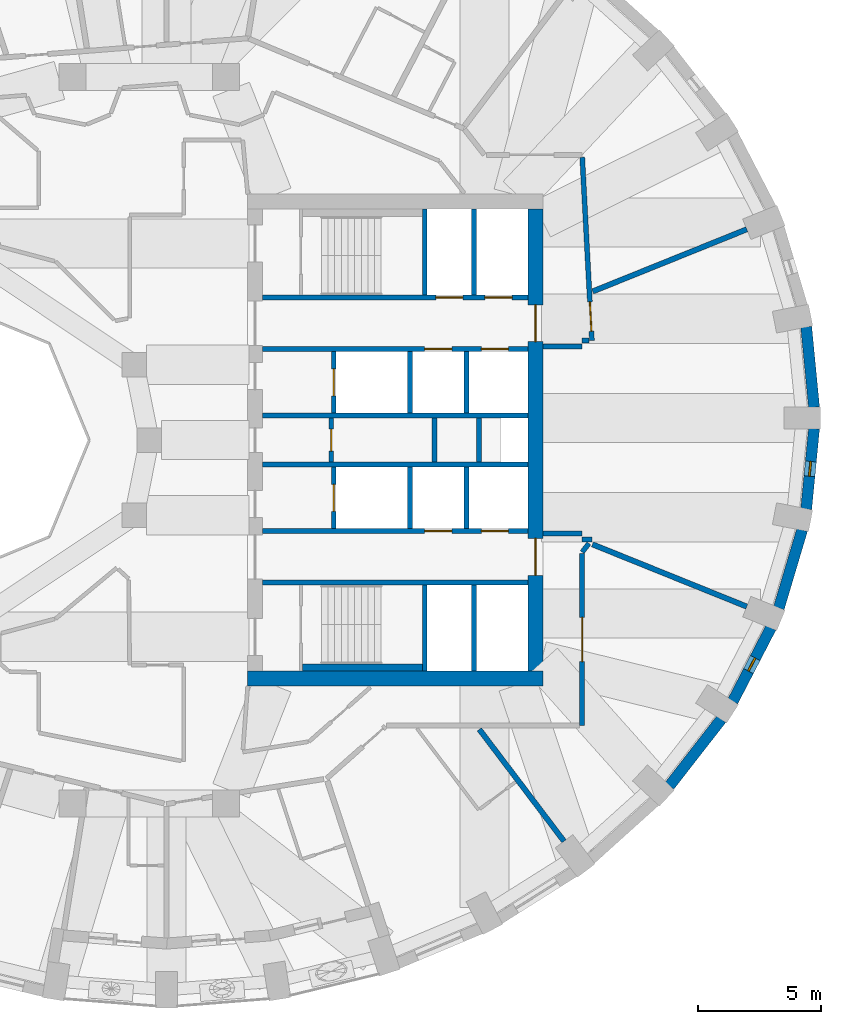
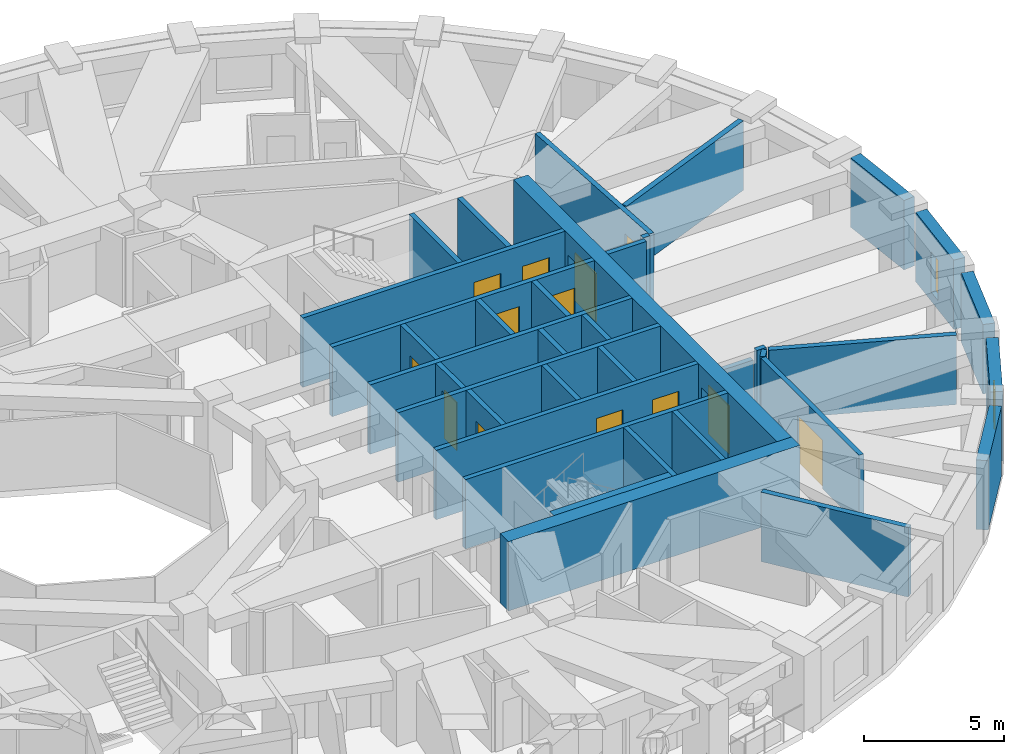
# One storey, part 6 of 12: 37 walls, 13 doors, 2 windows, 15 openings.
"""IFC4 building model written with IfcOpenShell, lengths in metres."""

from ifc_helpers import new_model, si_unit, direction, frame, frame_2d, origin, place, context, subcontext, project, spatial, rectangle, extrude, material, layer, layer_set, type_object, element, fill, save


model = new_model("IFC4")

# Units and contexts
model_context = context("Model", 3, precision=1e-05, world=origin(), true_north=direction((0.0, 1.0)))
body_context = subcontext(model_context, "Body", "Model", "MODEL_VIEW")
ifc_project = project(units=[si_unit("LENGTHUNIT", "METRE"), si_unit("AREAUNIT", "SQUARE_METRE"), si_unit("VOLUMEUNIT", "CUBIC_METRE"), si_unit("PLANEANGLEUNIT", "RADIAN"), si_unit("MASSUNIT", "GRAM", prefix="KILO")], contexts=[model_context])

# Site, building, storey
site_placement = place(None, origin())
site = spatial("IfcSite", under=ifc_project, at=site_placement, CompositionType="ELEMENT")
building_placement = place(site_placement, origin())
building = spatial("IfcBuilding", under=site, at=building_placement, Name="Taillehof Tower", CompositionType="ELEMENT")
storey_placement = place(building_placement, frame((0.0, 0.0, 202.39990234375)))
storey = spatial("IfcBuildingStorey", under=building, at=storey_placement, Name="L57", CompositionType="ELEMENT", Elevation=202.39990234375)

# Walls
ifc_material_1 = material(Name="Brick masonry", Category="masonry")
ifc_layer_1 = layer(ifc_material_1, 0.449951171875)
ifc_layer_set_1 = layer_set([ifc_layer_1], Name="Brick infill wall 450")
wall_type_1 = type_object("IfcWallType", Name="Brick infill wall 450", PredefinedType="SOLIDWALL", material=ifc_layer_set_1)
wall_1_placement = place(storey_placement, frame((27.0322265625, 1.330078125, 0.0), z_axis=(0.0, 0.0, 1.0), x_axis=(-0.096824116835, 0.995301507283, 0.0)))
element("IfcWall", 1, at=wall_1_placement, inside=storey, type_object=wall_type_1, Name="Brick wall L57 bay 1", PredefinedType="SOLIDWALL", context=body_context, shape_type="SweptSolid", body=[
    extrude(rectangle(XDim=3.29296875, YDim=0.449951171875, at=frame_2d((1.646484375, 0.0))), origin(), (0.0, 0.0, 1.0), 3.02001953125),
])
wall_2_placement = place(storey_placement, frame((21.1513671875, -14.06103515625, 0.0), z_axis=(0.0, 0.0, 1.0), x_axis=(0.614255239631, 0.789107407509, 0.0)))
element("IfcWall", 2, at=wall_2_placement, inside=storey, type_object=wall_type_1, Name="Brick wall L57 bay 33", PredefinedType="SOLIDWALL", context=body_context, shape_type="SweptSolid", body=[
    extrude(rectangle(XDim=3.4375, YDim=0.449951171875, at=frame_2d((1.71875, 0.0))), origin(), (0.0, 0.0, 1.0), 3.02001953125),
])

# Wall, opening, window
wall_3_placement = place(storey_placement, frame((23.72705078125, -10.6240234375, 0.0), z_axis=(0.0, 0.0, 1.0), x_axis=(0.460175500475, 0.887827972505, 0.0)))
wall_3 = element("IfcWall", 3, at=wall_3_placement, inside=storey, type_object=wall_type_1, Name="Brick wall L57 bay 34", PredefinedType="SOLIDWALL", context=body_context, shape_type="SweptSolid", body=[
    extrude(rectangle(XDim=3.37060546875, YDim=0.449951171875, at=frame_2d((1.685302734375, 0.0))), origin(), (0.0, 0.0, 1.0), 3.02001953125),
])
opening_1_placement = place(wall_3_placement, frame((1.38525390625, 0.0, 0.39990234375)))
opening_1 = element("IfcOpeningElement", 4, at=opening_1_placement, cuts=wall_3, Name="Opening W6", PredefinedType="OPENING", context=body_context, shape_type="SweptSolid", body=[
    extrude(rectangle(XDim=0.60009765625, YDim=1.75, at=frame_2d((0.300048828125, 0.875))), frame((0.0, 0.23486328125, 0.0), z_axis=(0.0, -1.0, 0.0), x_axis=(1.0, 0.0, 0.0)), (0.0, 0.0, 1.0), 0.469970703125),
])
ifc_material_2 = material(Name="Aluminium window frame with clear double glazing", Category="aluminium")
window_type = type_object("IfcWindowType", Name="Slot window 600x1750", PartitioningType="SINGLE_PANEL", PredefinedType="WINDOW", material=ifc_material_2)
window_1_placement = place(opening_1_placement, origin())
window_1 = element("IfcWindow", 5, at=window_1_placement, inside=storey, type_object=window_type, Name="W6", OverallHeight=1.75, OverallWidth=0.60009765625, PartitioningType="SINGLE_PANEL", PredefinedType="WINDOW", context=body_context, shape_type="SweptSolid", body=[
    extrude(rectangle(XDim=0.60009765625, YDim=1.75, at=frame_2d((0.300048828125, 0.875))), frame((0.0, 0.034912109375, 0.0), z_axis=(0.0, -1.0, 0.0), x_axis=(1.0, 0.0, 0.0)), (0.0, 0.0, 1.0), 0.06005859375),
])
fill(opening_1, window_1)

# Wall
wall_4_placement = place(storey_placement, frame((25.600341796875, -6.833984375, 0.0), z_axis=(0.0, 0.0, 1.0), x_axis=(0.285444972963, 0.958395099847, 0.0)))
element("IfcWall", 6, at=wall_4_placement, inside=storey, type_object=wall_type_1, Name="Brick wall L57 bay 35", PredefinedType="SOLIDWALL", context=body_context, shape_type="SweptSolid", body=[
    extrude(rectangle(XDim=3.3203125, YDim=0.449951171875, at=frame_2d((1.66015625, 0.0))), origin(), (0.0, 0.0, 1.0), 3.02001953125),
])

# Wall, opening, window
wall_5_placement = place(storey_placement, frame((26.71337890625, -2.807861328125, 0.0), z_axis=(0.0, 0.0, 1.0), x_axis=(0.096816972749, 0.995302202242, 0.0)))
wall_5 = element("IfcWall", 7, at=wall_5_placement, inside=storey, type_object=wall_type_1, Name="Brick wall L57 bay 36", PredefinedType="SOLIDWALL", context=body_context, shape_type="SweptSolid", body=[
    extrude(rectangle(XDim=3.293212890625, YDim=0.449951171875, at=frame_2d((1.646484375, 0.0))), origin(), (0.0, 0.0, 1.0), 3.02001953125),
])
opening_2_placement = place(wall_5_placement, frame((1.3466796875, 0.0, 0.39990234375)))
opening_2 = element("IfcOpeningElement", 8, at=opening_2_placement, cuts=wall_5, Name="Opening W6", PredefinedType="OPENING", context=body_context, shape_type="SweptSolid", body=[
    extrude(rectangle(XDim=0.60009765625, YDim=1.75, at=frame_2d((0.300048828125, 0.875))), frame((0.0, 0.23486328125, 0.0), z_axis=(0.0, -1.0, 0.0), x_axis=(1.0, 0.0, 0.0)), (0.0, 0.0, 1.0), 0.469970703125),
])
window_2_placement = place(opening_2_placement, origin())
window_2 = element("IfcWindow", 9, at=window_2_placement, inside=storey, type_object=window_type, Name="W6", OverallHeight=1.75, OverallWidth=0.60009765625, PartitioningType="SINGLE_PANEL", PredefinedType="WINDOW", context=body_context, shape_type="SweptSolid", body=[
    extrude(rectangle(XDim=0.60009765625, YDim=1.75, at=frame_2d((0.300048828125, 0.875))), frame((0.0, 0.034912109375, 0.0), z_axis=(0.0, -1.0, 0.0), x_axis=(1.0, 0.0, 0.0)), (0.0, 0.0, 1.0), 0.06005859375),
])
fill(opening_2, window_2)

# Wall, opening, door
ifc_material_3 = material(Name="Calcium silicate masonry", Category="masonry")
ifc_layer_2 = layer(ifc_material_3, 0.199951171875)
ifc_layer_set_2 = layer_set([ifc_layer_2], Name="Compartment wall calcium silicate 200")
wall_type_2 = type_object("IfcWallType", Name="Compartment wall calcium silicate 200", PredefinedType="PARTITIONING", material=ifc_layer_set_2)
wall_6_placement = place(storey_placement, frame((7.39990234375, -0.89990234375, 0.0), z_axis=(0.0, 0.0, 1.0), x_axis=(0.0, 1.0, 0.0)))
wall_6 = element("IfcWall", 10, at=wall_6_placement, inside=storey, type_object=wall_type_2, Name="Compartment wall FW", PredefinedType="PARTITIONING", context=body_context, shape_type="SweptSolid", body=[
    extrude(rectangle(XDim=1.7998046875, YDim=0.199951171875, at=frame_2d((0.89990234375, 0.0))), origin(), (0.0, 0.0, 1.0), 3.02001953125),
])
opening_3_placement = place(wall_6_placement, frame((0.449951171875, 0.0, 0.0)))
opening_3 = element("IfcOpeningElement", 11, at=opening_3_placement, cuts=wall_6, Name="Opening D5714", PredefinedType="OPENING", context=body_context, shape_type="SweptSolid", body=[
    extrude(rectangle(XDim=0.89990234375, YDim=2.10009765625, at=frame_2d((0.449951171875, 1.050048828125))), frame((0.0, 0.10986328125, 0.0), z_axis=(0.0, -1.0, 0.0), x_axis=(1.0, 0.0, 0.0)), (0.0, 0.0, 1.0), 0.219970703125),
])
ifc_material_4 = material(Name="Steel-faced fire door", Category="steel")
door_type_1 = type_object("IfcDoorType", Name="Riser and service room door 900x2100", OperationType="SINGLE_SWING_LEFT", PredefinedType="DOOR", material=ifc_material_4)
door_1_placement = place(opening_3_placement, origin())
door_1 = element("IfcDoor", 12, at=door_1_placement, inside=storey, type_object=door_type_1, Name="Door Beverage Store", OperationType="SINGLE_SWING_RIGHT", OverallHeight=2.10009765625, OverallWidth=0.89990234375, PredefinedType="DOOR", context=body_context, shape_type="SweptSolid", body=[
    extrude(rectangle(XDim=0.89990234375, YDim=2.10009765625, at=frame_2d((0.449951171875, 1.050048828125))), frame((0.0, 0.02490234375, 0.0), z_axis=(0.0, -1.0, 0.0), x_axis=(1.0, 0.0, 0.0)), (0.0, 0.0, 1.0), 0.050048828125),
])
fill(opening_3, door_1)

# Walls
for number, where, z_axis, x_axis, name in (
    (13, (11.60009765625, -0.89990234375, 0.0), (0.0, 0.0, 1.0), (0.0, 1.0, 0.0), "Compartment wall FW"),
    (14, (13.39990234375, -0.89990234375, 0.0), (0.0, 0.0, 1.0), (0.0, 1.0, 0.0), "Compartment wall FW"),
):
    element("IfcWall", number, at=place(storey_placement, frame(where, z_axis=z_axis, x_axis=x_axis)), inside=storey, type_object=wall_type_2, Name=name, PredefinedType="PARTITIONING", context=body_context, shape_type="SweptSolid", body=[
        extrude(rectangle(XDim=1.7998046875, YDim=0.199951171875, at=frame_2d((0.89990234375, 0.0))), origin(), (0.0, 0.0, 1.0), 3.02001953125),
    ])
ifc_material_5 = material(Name="Gypsum board on steel studs, two layers each side", Category="steel")
ifc_layer_3 = layer(ifc_material_5, 0.199951171875)
ifc_layer_set_3 = layer_set([ifc_layer_3], Name="Compartment wall corridor 200")
wall_type_3 = type_object("IfcWallType", Name="Compartment wall corridor 200", PredefinedType="PARTITIONING", material=ifc_layer_set_3)
wall_7_placement = place(storey_placement, frame((17.60009765625, -4.042724609375, 0.0), z_axis=(0.0, 0.0, 1.0), x_axis=(1.0, 0.0, 0.0)))
element("IfcWall", 15, at=wall_7_placement, inside=storey, type_object=wall_type_3, Name="Compartment wall", PredefinedType="PARTITIONING", context=body_context, shape_type="SweptSolid", body=[
    extrude(rectangle(XDim=0.3984375, YDim=0.199951171875, at=frame_2d((0.19921875, 0.0))), origin(), (0.0, 0.0, 1.0), 3.02001953125),
])
wall_8_placement = place(storey_placement, frame((17.87646484375, -4.201416015625, 0.0), z_axis=(0.0, 0.0, 1.0), x_axis=(-0.61405326993, -0.789264582816, 0.0)))
element("IfcWall", 16, at=wall_8_placement, inside=storey, type_object=wall_type_3, Name="Compartment wall", PredefinedType="PARTITIONING", context=body_context, shape_type="SweptSolid", body=[
    extrude(rectangle(XDim=0.449951171875, YDim=0.199951171875, at=frame_2d((0.22509765625, 0.0))), origin(), (0.0, 0.0, 1.0), 3.02001953125),
])

# Wall, opening, door
wall_9_placement = place(storey_placement, frame((17.60009765625, -4.61669921875, 0.0), z_axis=(0.0, 0.0, 1.0), x_axis=(0.0, -1.0, 0.0)))
wall_9 = element("IfcWall", 17, at=wall_9_placement, inside=storey, type_object=wall_type_3, Name="Compartment wall", PredefinedType="PARTITIONING", context=body_context, shape_type="SweptSolid", body=[
    extrude(rectangle(XDim=6.9833984375, YDim=0.199951171875, at=frame_2d((3.49169921875, 0.0))), origin(), (0.0, 0.0, 1.0), 3.02001953125),
])
opening_4_placement = place(wall_9_placement, frame((2.591796875, 0.0, 0.0)))
opening_4 = element("IfcOpeningElement", 18, at=opening_4_placement, cuts=wall_9, Name="Opening D5763", PredefinedType="OPENING", context=body_context, shape_type="SweptSolid", body=[
    extrude(rectangle(XDim=1.800048828125, YDim=2.10009765625, at=frame_2d((0.89990234375, 1.050048828125))), frame((0.0, 0.10986328125, 0.0), z_axis=(0.0, -1.0, 0.0), x_axis=(1.0, 0.0, 0.0)), (0.0, 0.0, 1.0), 0.219970703125),
])
ifc_material_6 = material(Name="Timber door leaf in steel frame", Category="steel")
door_type_2 = type_object("IfcDoorType", Name="Lounge and meeting room double door EI 30 1800 x 2100", OperationType="SINGLE_SWING_LEFT", PredefinedType="DOOR", material=ifc_material_6)
door_2_placement = place(opening_4_placement, origin())
door_2 = element("IfcDoor", 19, at=door_2_placement, inside=storey, type_object=door_type_2, Name="D5763", OperationType="DOUBLE_DOOR_SINGLE_SWING", OverallHeight=2.10009765625, OverallWidth=1.800048828125, PredefinedType="DOOR", context=body_context, shape_type="SweptSolid", body=[
    extrude(rectangle(XDim=1.800048828125, YDim=2.10009765625, at=frame_2d((0.89990234375, 1.050048828125))), frame((0.0, 0.02490234375, 0.0), z_axis=(0.0, -1.0, 0.0), x_axis=(1.0, 0.0, 0.0)), (0.0, 0.0, 1.0), 0.050048828125),
])
fill(opening_4, door_2)

wall_10_placement = place(storey_placement, frame((17.60498046875, 11.5, 0.0), z_axis=(0.0, 0.0, 1.0), x_axis=(0.052701255232, -0.998610323248, 0.0)))
wall_10 = element("IfcWall", 20, at=wall_10_placement, inside=storey, type_object=wall_type_3, Name="Compartment wall", PredefinedType="PARTITIONING", context=body_context, shape_type="SweptSolid", body=[
    extrude(rectangle(XDim=7.4677734375, YDim=0.199951171875, at=frame_2d((3.73388671875, 0.0))), origin(), (0.0, 0.0, 1.0), 3.02001953125),
])
opening_5_placement = place(wall_10_placement, frame((5.887451171875, 0.0, 0.0)))
opening_5 = element("IfcOpeningElement", 21, at=opening_5_placement, cuts=wall_10, Name="Opening D5764", PredefinedType="OPENING", context=body_context, shape_type="SweptSolid", body=[
    extrude(rectangle(XDim=1.199951171875, YDim=2.10009765625, at=frame_2d((0.60009765625, 1.050048828125))), frame((0.0, 0.10986328125, 0.0), z_axis=(0.0, -1.0, 0.0), x_axis=(1.0, 0.0, 0.0)), (0.0, 0.0, 1.0), 0.219970703125),
])
ifc_material_7 = material(Name="Timber door leaf in steel frame", Category="steel")
door_type_3 = type_object("IfcDoorType", Name="Suite entrance door EI 30 1200 x 2100", OperationType="SINGLE_SWING_LEFT", PredefinedType="DOOR", material=ifc_material_7)
door_3_placement = place(opening_5_placement, origin())
door_3 = element("IfcDoor", 22, at=door_3_placement, inside=storey, type_object=door_type_3, Name="D5764", OperationType="SINGLE_SWING_LEFT", OverallHeight=2.10009765625, OverallWidth=1.199951171875, PredefinedType="DOOR", context=body_context, shape_type="SweptSolid", body=[
    extrude(rectangle(XDim=1.199951171875, YDim=2.10009765625, at=frame_2d((0.60009765625, 1.050048828125))), frame((0.0, 0.02490234375, 0.0), z_axis=(0.0, -1.0, 0.0), x_axis=(1.0, 0.0, 0.0)), (0.0, 0.0, 1.0), 0.050048828125),
])
fill(opening_5, door_3)

# Walls
wall_11_placement = place(storey_placement, frame((17.87841796875, 4.042724609375, 0.0), z_axis=(0.0, 0.0, 1.0), x_axis=(-1.0, 0.0, 0.0)))
element("IfcWall", 23, at=wall_11_placement, inside=storey, type_object=wall_type_3, Name="Compartment wall", PredefinedType="PARTITIONING", context=body_context, shape_type="SweptSolid", body=[
    extrude(rectangle(XDim=0.2783203125, YDim=0.199951171875, at=frame_2d((0.13916015625, 0.0))), origin(), (0.0, 0.0, 1.0), 3.02001953125),
])
wall_12_placement = place(storey_placement, frame((17.60009765625, 3.800048828125, 0.0), z_axis=(0.0, 0.0, 1.0), x_axis=(-1.0, 0.0, 0.0)))
element("IfcWall", 24, at=wall_12_placement, inside=storey, type_object=wall_type_3, Name="Compartment wall", PredefinedType="PARTITIONING", context=body_context, shape_type="SweptSolid", body=[
    extrude(rectangle(XDim=1.59619140625, YDim=0.199951171875, at=frame_2d((0.798095703125, 0.0))), origin(), (0.0, 0.0, 1.0), 3.02001953125),
])
wall_13_placement = place(storey_placement, frame((16.00390625, -3.800048828125, 0.0), z_axis=(0.0, 0.0, 1.0), x_axis=(1.0, 0.0, 0.0)))
element("IfcWall", 25, at=wall_13_placement, inside=storey, type_object=wall_type_3, Name="Compartment wall", PredefinedType="PARTITIONING", context=body_context, shape_type="SweptSolid", body=[
    extrude(rectangle(XDim=1.59619140625, YDim=0.199951171875, at=frame_2d((0.798095703125, 0.0))), origin(), (0.0, 0.0, 1.0), 2.47021484375),
])
ifc_material_8 = material(Name="Gypsum board on double steel studs with mineral wool", Category="steel")
ifc_layer_4 = layer(ifc_material_8, 0.219970703125)
ifc_layer_set_4 = layer_set([ifc_layer_4], Name="Compartment wall guest room 220")
wall_type_4 = type_object("IfcWallType", Name="Compartment wall guest room 220", PredefinedType="PARTITIONING", material=ifc_layer_set_4)
wall_14_placement = place(storey_placement, frame((24.29541015625, 8.5712890625, 0.0), z_axis=(0.0, 0.0, 1.0), x_axis=(-0.927395972896, -0.374081153571, 0.0)))
element("IfcWall", 26, at=wall_14_placement, inside=storey, type_object=wall_type_4, Name="Compartment wall", PredefinedType="PARTITIONING", context=body_context, shape_type="SweptSolid", body=[
    extrude(rectangle(XDim=6.7548828125, YDim=0.219970703125, at=frame_2d((3.37744140625, 0.0))), origin(), (0.0, 0.0, 1.0), 3.02001953125),
])
wall_15_placement = place(storey_placement, frame((16.86328125, -16.3125, 0.0), z_axis=(0.0, 0.0, 1.0), x_axis=(-0.603636051313, 0.797260006243, 0.0)))
element("IfcWall", 27, at=wall_15_placement, inside=storey, type_object=wall_type_4, Name="Compartment wall", PredefinedType="PARTITIONING", context=body_context, shape_type="SweptSolid", body=[
    extrude(rectangle(XDim=5.70556640625, YDim=0.219970703125, at=frame_2d((2.852783203125, 0.0))), origin(), (0.0, 0.0, 1.0), 3.02001953125),
])
wall_16_placement = place(storey_placement, frame((24.29541015625, -6.771484375, 0.0), z_axis=(0.0, 0.0, 1.0), x_axis=(-0.927382720906, 0.374114005305, 0.0)))
element("IfcWall", 28, at=wall_16_placement, inside=storey, type_object=wall_type_4, Name="Compartment wall", PredefinedType="PARTITIONING", context=body_context, shape_type="SweptSolid", body=[
    extrude(rectangle(XDim=6.765869140625, YDim=0.219970703125, at=frame_2d((3.3828125, 0.0))), origin(), (0.0, 0.0, 1.0), 3.02001953125),
])
ifc_material_9 = material(Name="Calcium silicate masonry", Category="masonry")
ifc_layer_5 = layer(ifc_material_9, 0.300048828125)
ifc_layer_set_5 = layer_set([ifc_layer_5], Name="Compartment wall lining calcium silicate 300")
wall_type_5 = type_object("IfcWallType", Name="Compartment wall lining calcium silicate 300", PredefinedType="PARTITIONING", material=ifc_layer_set_5)
wall_17_placement = place(storey_placement, frame((6.219970703125, -9.25, 0.0), z_axis=(0.0, 0.0, 1.0), x_axis=(1.0, 0.0, 0.0)))
element("IfcWall", 29, at=wall_17_placement, inside=storey, type_object=wall_type_5, Name="Compartment wall FW", PredefinedType="PARTITIONING", context=body_context, shape_type="SweptSolid", body=[
    extrude(rectangle(XDim=4.880126953125, YDim=0.300048828125, at=frame_2d((2.43994140625, 0.0))), origin(), (0.0, 0.0, 1.0), 3.02001953125),
])

# Wall, openings, doors
ifc_material_10 = material(Name="Concrete C80/95", Category="concrete")
ifc_layer_6 = layer(ifc_material_10, 0.60009765625)
ifc_layer_set_6 = layer_set([ifc_layer_6], Name="Core wall C80/95 600")
wall_type_6 = type_object("IfcWallType", Name="Core wall C80/95 600", PredefinedType="SHEAR", material=ifc_layer_set_6)
wall_18_placement = place(storey_placement, frame((15.699951171875, -9.39990234375, 0.0), z_axis=(0.0, 0.0, 1.0), x_axis=(0.0, 1.0, 0.0)))
wall_18 = element("IfcWall", 30, at=wall_18_placement, inside=storey, type_object=wall_type_6, Name="Core wall CW05", PredefinedType="SHEAR", context=body_context, shape_type="SweptSolid", body=[
    extrude(rectangle(XDim=18.7998046875, YDim=0.60009765625, at=frame_2d((9.39990234375, 0.0))), origin(), (0.0, 0.0, 1.0), 3.02001953125),
])
opening_6_placement = place(wall_18_placement, frame((13.39990234375, 0.0, 0.0)))
opening_6 = element("IfcOpeningElement", 31, at=opening_6_placement, cuts=wall_18, Name="Opening D5708", PredefinedType="OPENING", context=body_context, shape_type="SweptSolid", body=[
    extrude(rectangle(XDim=1.5, YDim=2.10009765625, at=frame_2d((0.75, 1.050048828125))), frame((0.0, 0.31005859375, 0.0), z_axis=(0.0, -1.0, 0.0), x_axis=(1.0, 0.0, 0.0)), (0.0, 0.0, 1.0), 0.6201171875),
])
opening_7_placement = place(wall_18_placement, frame((3.89990234375, 0.0, 0.0)))
opening_7 = element("IfcOpeningElement", 32, at=opening_7_placement, cuts=wall_18, Name="Opening D5709", PredefinedType="OPENING", context=body_context, shape_type="SweptSolid", body=[
    extrude(rectangle(XDim=1.5, YDim=2.10009765625, at=frame_2d((0.75, 1.050048828125))), frame((0.0, 0.31005859375, 0.0), z_axis=(0.0, -1.0, 0.0), x_axis=(1.0, 0.0, 0.0)), (0.0, 0.0, 1.0), 0.6201171875),
])
ifc_material_11 = material(Name="Steel-faced fire door", Category="steel")
door_type_4 = type_object("IfcDoorType", Name="Lift lobby east door 1500x2100", OperationType="DOUBLE_DOOR_SINGLE_SWING", PredefinedType="DOOR", material=ifc_material_11)
door_4_placement = place(opening_6_placement, origin())
door_4 = element("IfcDoor", 33, at=door_4_placement, inside=storey, type_object=door_type_4, Name="Lift lobby east door north", OperationType="DOUBLE_DOOR_SINGLE_SWING", OverallHeight=2.10009765625, OverallWidth=1.5, PredefinedType="DOOR", context=body_context, shape_type="SweptSolid", body=[
    extrude(rectangle(XDim=1.5, YDim=2.10009765625, at=frame_2d((0.75, 1.050048828125))), frame((0.0, 0.02490234375, 0.0), z_axis=(0.0, -1.0, 0.0), x_axis=(1.0, 0.0, 0.0)), (0.0, 0.0, 1.0), 0.050048828125),
])
fill(opening_6, door_4)
door_5_placement = place(opening_7_placement, origin())
door_5 = element("IfcDoor", 34, at=door_5_placement, inside=storey, type_object=door_type_4, Name="Lift lobby east door south", OperationType="DOUBLE_DOOR_SINGLE_SWING", OverallHeight=2.10009765625, OverallWidth=1.5, PredefinedType="DOOR", context=body_context, shape_type="SweptSolid", body=[
    extrude(rectangle(XDim=1.5, YDim=2.10009765625, at=frame_2d((0.75, 1.050048828125))), frame((0.0, 0.02490234375, 0.0), z_axis=(0.0, -1.0, 0.0), x_axis=(1.0, 0.0, 0.0)), (0.0, 0.0, 1.0), 0.050048828125),
])
fill(opening_7, door_5)

# Wall
wall_19_placement = place(storey_placement, frame((4.0, -9.699951171875, 0.0), z_axis=(0.0, 0.0, 1.0), x_axis=(1.0, 0.0, 0.0)))
element("IfcWall", 35, at=wall_19_placement, inside=storey, type_object=wall_type_6, Name="Core wall CW07", PredefinedType="SHEAR", context=body_context, shape_type="SweptSolid", body=[
    extrude(rectangle(XDim=12.0, YDim=0.60009765625, at=frame_2d((6.0, 0.0))), origin(), (0.0, 0.0, 1.0), 3.02001953125),
])

# Wall, openings, doors
ifc_material_12 = material(Name="Concrete C50/60", Category="concrete")
ifc_layer_7 = layer(ifc_material_12, 0.199951171875)
ifc_layer_set_7 = layer_set([ifc_layer_7], Name="Shaft wall C50/60 200")
wall_type_7 = type_object("IfcWallType", Name="Shaft wall C50/60 200", PredefinedType="SHEAR", material=ifc_layer_set_7)
wall_20_placement = place(storey_placement, frame((4.60009765625, 5.800048828125, 0.0), z_axis=(0.0, 0.0, 1.0), x_axis=(1.0, 0.0, 0.0)))
wall_20 = element("IfcWall", 36, at=wall_20_placement, inside=storey, type_object=wall_type_7, Name="Shaft wall SW", PredefinedType="SHEAR", context=body_context, shape_type="SweptSolid", body=[
    extrude(rectangle(XDim=10.7998046875, YDim=0.199951171875, at=frame_2d((5.39990234375, 0.0))), origin(), (0.0, 0.0, 1.0), 3.02001953125),
])
opening_8_placement = place(wall_20_placement, frame((7.050048828125, 0.0, 0.0)))
opening_8 = element("IfcOpeningElement", 37, at=opening_8_placement, cuts=wall_20, Name="Opening LD1", PredefinedType="OPENING", context=body_context, shape_type="SweptSolid", body=[
    extrude(rectangle(XDim=1.10009765625, YDim=2.10009765625, at=frame_2d((0.550048828125, 1.050048828125))), frame((0.0, 0.10986328125, 0.0), z_axis=(0.0, -1.0, 0.0), x_axis=(1.0, 0.0, 0.0)), (0.0, 0.0, 1.0), 0.219970703125),
])
opening_9_placement = place(wall_20_placement, frame((9.050048828125, 0.0, 0.0)))
opening_9 = element("IfcOpeningElement", 38, at=opening_9_placement, cuts=wall_20, Name="Opening LD1", PredefinedType="OPENING", context=body_context, shape_type="SweptSolid", body=[
    extrude(rectangle(XDim=1.10009765625, YDim=2.10009765625, at=frame_2d((0.550048828125, 1.050048828125))), frame((0.0, 0.10986328125, 0.0), z_axis=(0.0, -1.0, 0.0), x_axis=(1.0, 0.0, 0.0)), (0.0, 0.0, 1.0), 0.219970703125),
])
ifc_material_13 = material(Name="Stainless steel", Category="steel")
door_type_5 = type_object("IfcDoorType", Name="Lift landing door LD1 1100x2100", OperationType="DOUBLE_DOOR_SLIDING", PredefinedType="DOOR", material=ifc_material_13)
door_6_placement = place(opening_8_placement, origin())
door_6 = element("IfcDoor", 39, at=door_6_placement, inside=storey, type_object=door_type_5, Name="Landing door HR1", OperationType="DOUBLE_DOOR_SLIDING", OverallHeight=2.10009765625, OverallWidth=1.10009765625, PredefinedType="DOOR", context=body_context, shape_type="SweptSolid", body=[
    extrude(rectangle(XDim=1.10009765625, YDim=2.10009765625, at=frame_2d((0.550048828125, 1.050048828125))), frame((0.0, 0.02490234375, 0.0), z_axis=(0.0, -1.0, 0.0), x_axis=(1.0, 0.0, 0.0)), (0.0, 0.0, 1.0), 0.050048828125),
])
fill(opening_8, door_6)
door_7_placement = place(opening_9_placement, origin())
door_7 = element("IfcDoor", 40, at=door_7_placement, inside=storey, type_object=door_type_5, Name="Landing door HR2", OperationType="DOUBLE_DOOR_SLIDING", OverallHeight=2.10009765625, OverallWidth=1.10009765625, PredefinedType="DOOR", context=body_context, shape_type="SweptSolid", body=[
    extrude(rectangle(XDim=1.10009765625, YDim=2.10009765625, at=frame_2d((0.550048828125, 1.050048828125))), frame((0.0, 0.02490234375, 0.0), z_axis=(0.0, -1.0, 0.0), x_axis=(1.0, 0.0, 0.0)), (0.0, 0.0, 1.0), 0.050048828125),
])
fill(opening_9, door_7)

wall_21_placement = place(storey_placement, frame((4.60009765625, 3.699951171875, 0.0), z_axis=(0.0, 0.0, 1.0), x_axis=(1.0, 0.0, 0.0)))
wall_21 = element("IfcWall", 41, at=wall_21_placement, inside=storey, type_object=wall_type_7, Name="Shaft wall SW", PredefinedType="SHEAR", context=body_context, shape_type="SweptSolid", body=[
    extrude(rectangle(XDim=10.7998046875, YDim=0.199951171875, at=frame_2d((5.39990234375, 0.0))), origin(), (0.0, 0.0, 1.0), 3.02001953125),
])
opening_10_placement = place(wall_21_placement, frame((6.60009765625, 0.0, 0.0)))
opening_10 = element("IfcOpeningElement", 42, at=opening_10_placement, cuts=wall_21, Name="Opening LD1", PredefinedType="OPENING", context=body_context, shape_type="SweptSolid", body=[
    extrude(rectangle(XDim=1.10009765625, YDim=2.10009765625, at=frame_2d((0.550048828125, 1.050048828125))), frame((0.0, 0.10986328125, 0.0), z_axis=(0.0, -1.0, 0.0), x_axis=(1.0, 0.0, 0.0)), (0.0, 0.0, 1.0), 0.219970703125),
])
opening_11_placement = place(wall_21_placement, frame((8.89990234375, 0.0, 0.0)))
opening_11 = element("IfcOpeningElement", 43, at=opening_11_placement, cuts=wall_21, Name="Opening LD1", PredefinedType="OPENING", context=body_context, shape_type="SweptSolid", body=[
    extrude(rectangle(XDim=1.10009765625, YDim=2.10009765625, at=frame_2d((0.550048828125, 1.050048828125))), frame((0.0, 0.10986328125, 0.0), z_axis=(0.0, -1.0, 0.0), x_axis=(1.0, 0.0, 0.0)), (0.0, 0.0, 1.0), 0.219970703125),
])
door_8_placement = place(opening_10_placement, origin())
door_8 = element("IfcDoor", 44, at=door_8_placement, inside=storey, type_object=door_type_5, Name="Landing door HR3", OperationType="DOUBLE_DOOR_SLIDING", OverallHeight=2.10009765625, OverallWidth=1.10009765625, PredefinedType="DOOR", context=body_context, shape_type="SweptSolid", body=[
    extrude(rectangle(XDim=1.10009765625, YDim=2.10009765625, at=frame_2d((0.550048828125, 1.050048828125))), frame((0.0, 0.02490234375, 0.0), z_axis=(0.0, -1.0, 0.0), x_axis=(1.0, 0.0, 0.0)), (0.0, 0.0, 1.0), 0.050048828125),
])
fill(opening_10, door_8)
door_9_placement = place(opening_11_placement, origin())
door_9 = element("IfcDoor", 45, at=door_9_placement, inside=storey, type_object=door_type_5, Name="Landing door HR4", OperationType="DOUBLE_DOOR_SLIDING", OverallHeight=2.10009765625, OverallWidth=1.10009765625, PredefinedType="DOOR", context=body_context, shape_type="SweptSolid", body=[
    extrude(rectangle(XDim=1.10009765625, YDim=2.10009765625, at=frame_2d((0.550048828125, 1.050048828125))), frame((0.0, 0.02490234375, 0.0), z_axis=(0.0, -1.0, 0.0), x_axis=(1.0, 0.0, 0.0)), (0.0, 0.0, 1.0), 0.050048828125),
])
fill(opening_11, door_9)

# Walls
for number, where, z_axis, x_axis, name in (
    (46, (4.60009765625, 1.0, 0.0), (0.0, 0.0, 1.0), (1.0, 0.0, 0.0), "Shaft wall SW"),
    (47, (4.60009765625, -1.0, 0.0), (0.0, 0.0, 1.0), (1.0, 0.0, 0.0), "Shaft wall SW"),
):
    element("IfcWall", number, at=place(storey_placement, frame(where, z_axis=z_axis, x_axis=x_axis)), inside=storey, type_object=wall_type_7, Name=name, PredefinedType="SHEAR", context=body_context, shape_type="SweptSolid", body=[
        extrude(rectangle(XDim=10.7998046875, YDim=0.199951171875, at=frame_2d((5.39990234375, 0.0))), origin(), (0.0, 0.0, 1.0), 3.02001953125),
    ])

# Wall, openings, doors
wall_22_placement = place(storey_placement, frame((4.60009765625, -3.699951171875, 0.0), z_axis=(0.0, 0.0, 1.0), x_axis=(1.0, 0.0, 0.0)))
wall_22 = element("IfcWall", 48, at=wall_22_placement, inside=storey, type_object=wall_type_7, Name="Shaft wall SW", PredefinedType="SHEAR", context=body_context, shape_type="SweptSolid", body=[
    extrude(rectangle(XDim=10.7998046875, YDim=0.199951171875, at=frame_2d((5.39990234375, 0.0))), origin(), (0.0, 0.0, 1.0), 3.02001953125),
])
opening_12_placement = place(wall_22_placement, frame((6.60009765625, 0.0, 0.0)))
opening_12 = element("IfcOpeningElement", 49, at=opening_12_placement, cuts=wall_22, Name="Opening LD1", PredefinedType="OPENING", context=body_context, shape_type="SweptSolid", body=[
    extrude(rectangle(XDim=1.10009765625, YDim=2.10009765625, at=frame_2d((0.550048828125, 1.050048828125))), frame((0.0, 0.10986328125, 0.0), z_axis=(0.0, -1.0, 0.0), x_axis=(1.0, 0.0, 0.0)), (0.0, 0.0, 1.0), 0.219970703125),
])
opening_13_placement = place(wall_22_placement, frame((8.89990234375, 0.0, 0.0)))
opening_13 = element("IfcOpeningElement", 50, at=opening_13_placement, cuts=wall_22, Name="Opening LD1", PredefinedType="OPENING", context=body_context, shape_type="SweptSolid", body=[
    extrude(rectangle(XDim=1.10009765625, YDim=2.10009765625, at=frame_2d((0.550048828125, 1.050048828125))), frame((0.0, 0.10986328125, 0.0), z_axis=(0.0, -1.0, 0.0), x_axis=(1.0, 0.0, 0.0)), (0.0, 0.0, 1.0), 0.219970703125),
])
door_10_placement = place(opening_12_placement, origin())
door_10 = element("IfcDoor", 51, at=door_10_placement, inside=storey, type_object=door_type_5, Name="Landing door HR5", OperationType="DOUBLE_DOOR_SLIDING", OverallHeight=2.10009765625, OverallWidth=1.10009765625, PredefinedType="DOOR", context=body_context, shape_type="SweptSolid", body=[
    extrude(rectangle(XDim=1.10009765625, YDim=2.10009765625, at=frame_2d((0.550048828125, 1.050048828125))), frame((0.0, 0.02490234375, 0.0), z_axis=(0.0, -1.0, 0.0), x_axis=(1.0, 0.0, 0.0)), (0.0, 0.0, 1.0), 0.050048828125),
])
fill(opening_12, door_10)
door_11_placement = place(opening_13_placement, origin())
door_11 = element("IfcDoor", 52, at=door_11_placement, inside=storey, type_object=door_type_5, Name="Landing door HR6", OperationType="DOUBLE_DOOR_SLIDING", OverallHeight=2.10009765625, OverallWidth=1.10009765625, PredefinedType="DOOR", context=body_context, shape_type="SweptSolid", body=[
    extrude(rectangle(XDim=1.10009765625, YDim=2.10009765625, at=frame_2d((0.550048828125, 1.050048828125))), frame((0.0, 0.02490234375, 0.0), z_axis=(0.0, -1.0, 0.0), x_axis=(1.0, 0.0, 0.0)), (0.0, 0.0, 1.0), 0.050048828125),
])
fill(opening_13, door_11)

# Walls
wall_23_placement = place(storey_placement, frame((4.60009765625, -5.800048828125, 0.0), z_axis=(0.0, 0.0, 1.0), x_axis=(1.0, 0.0, 0.0)))
element("IfcWall", 53, at=wall_23_placement, inside=storey, type_object=wall_type_7, Name="Shaft wall SW", PredefinedType="SHEAR", context=body_context, shape_type="SweptSolid", body=[
    extrude(rectangle(XDim=10.7998046875, YDim=0.199951171875, at=frame_2d((5.39990234375, 0.0))), origin(), (0.0, 0.0, 1.0), 3.02001953125),
])
for number, where, z_axis, x_axis, name in (
    (54, (11.199951171875, 5.89990234375, 0.0), (0.0, 0.0, 1.0), (0.0, 1.0, 0.0), "Shaft wall SW"),
    (55, (11.199951171875, -9.39990234375, 0.0), (0.0, 0.0, 1.0), (0.0, 1.0, 0.0), "Shaft wall SW"),
    (56, (13.199951171875, 5.89990234375, 0.0), (0.0, 0.0, 1.0), (0.0, 1.0, 0.0), "Shaft wall SW"),
    (57, (13.199951171875, -9.39990234375, 0.0), (0.0, 0.0, 1.0), (0.0, 1.0, 0.0), "Shaft wall SW"),
):
    element("IfcWall", number, at=place(storey_placement, frame(where, z_axis=z_axis, x_axis=x_axis)), inside=storey, type_object=wall_type_7, Name=name, PredefinedType="SHEAR", context=body_context, shape_type="SweptSolid", body=[
        extrude(rectangle(XDim=3.5, YDim=0.199951171875, at=frame_2d((1.75, 0.0))), origin(), (0.0, 0.0, 1.0), 3.02001953125),
    ])

# Wall, opening, door
wall_24_placement = place(storey_placement, frame((7.5, 1.10009765625, 0.0), z_axis=(0.0, 0.0, 1.0), x_axis=(0.0, 1.0, 0.0)))
wall_24 = element("IfcWall", 58, at=wall_24_placement, inside=storey, type_object=wall_type_7, Name="Shaft wall SW", PredefinedType="SHEAR", context=body_context, shape_type="SweptSolid", body=[
    extrude(rectangle(XDim=2.5, YDim=0.199951171875, at=frame_2d((1.25, 0.0))), origin(), (0.0, 0.0, 1.0), 3.02001953125),
])
opening_14_placement = place(wall_24_placement, frame((0.699951171875, 0.0, 0.0)))
opening_14 = element("IfcOpeningElement", 59, at=opening_14_placement, cuts=wall_24, Name="Opening LD1", PredefinedType="OPENING", context=body_context, shape_type="SweptSolid", body=[
    extrude(rectangle(XDim=1.10009765625, YDim=2.10009765625, at=frame_2d((0.550048828125, 1.050048828125))), frame((0.0, 0.10986328125, 0.0), z_axis=(0.0, -1.0, 0.0), x_axis=(1.0, 0.0, 0.0)), (0.0, 0.0, 1.0), 0.219970703125),
])
door_12_placement = place(opening_14_placement, origin())
door_12 = element("IfcDoor", 60, at=door_12_placement, inside=storey, type_object=door_type_5, Name="Landing door FF1", OperationType="DOUBLE_DOOR_SLIDING", OverallHeight=2.10009765625, OverallWidth=1.10009765625, PredefinedType="DOOR", context=body_context, shape_type="SweptSolid", body=[
    extrude(rectangle(XDim=1.10009765625, YDim=2.10009765625, at=frame_2d((0.550048828125, 1.050048828125))), frame((0.0, 0.02490234375, 0.0), z_axis=(0.0, -1.0, 0.0), x_axis=(1.0, 0.0, 0.0)), (0.0, 0.0, 1.0), 0.050048828125),
])
fill(opening_14, door_12)

wall_25_placement = place(storey_placement, frame((7.5, -3.60009765625, 0.0), z_axis=(0.0, 0.0, 1.0), x_axis=(0.0, 1.0, 0.0)))
wall_25 = element("IfcWall", 61, at=wall_25_placement, inside=storey, type_object=wall_type_7, Name="Shaft wall SW", PredefinedType="SHEAR", context=body_context, shape_type="SweptSolid", body=[
    extrude(rectangle(XDim=2.5, YDim=0.199951171875, at=frame_2d((1.25, 0.0))), origin(), (0.0, 0.0, 1.0), 3.02001953125),
])
opening_15_placement = place(wall_25_placement, frame((0.699951171875, 0.0, 0.0)))
opening_15 = element("IfcOpeningElement", 62, at=opening_15_placement, cuts=wall_25, Name="Opening LD1", PredefinedType="OPENING", context=body_context, shape_type="SweptSolid", body=[
    extrude(rectangle(XDim=1.10009765625, YDim=2.10009765625, at=frame_2d((0.550048828125, 1.050048828125))), frame((0.0, 0.10986328125, 0.0), z_axis=(0.0, -1.0, 0.0), x_axis=(1.0, 0.0, 0.0)), (0.0, 0.0, 1.0), 0.219970703125),
])
door_13_placement = place(opening_15_placement, origin())
door_13 = element("IfcDoor", 63, at=door_13_placement, inside=storey, type_object=door_type_5, Name="Landing door FF2", OperationType="DOUBLE_DOOR_SLIDING", OverallHeight=2.10009765625, OverallWidth=1.10009765625, PredefinedType="DOOR", context=body_context, shape_type="SweptSolid", body=[
    extrude(rectangle(XDim=1.10009765625, YDim=2.10009765625, at=frame_2d((0.550048828125, 1.050048828125))), frame((0.0, 0.02490234375, 0.0), z_axis=(0.0, -1.0, 0.0), x_axis=(1.0, 0.0, 0.0)), (0.0, 0.0, 1.0), 0.050048828125),
])
fill(opening_15, door_13)

# Walls
for number, where, z_axis, x_axis, name in (
    (64, (10.60009765625, 1.10009765625, 0.0), (0.0, 0.0, 1.0), (0.0, 1.0, 0.0), "Shaft wall SW"),
    (65, (10.60009765625, -3.60009765625, 0.0), (0.0, 0.0, 1.0), (0.0, 1.0, 0.0), "Shaft wall SW"),
    (66, (12.89990234375, 1.10009765625, 0.0), (0.0, 0.0, 1.0), (0.0, 1.0, 0.0), "Shaft wall SW"),
    (67, (12.89990234375, -3.60009765625, 0.0), (0.0, 0.0, 1.0), (0.0, 1.0, 0.0), "Shaft wall SW"),
):
    element("IfcWall", number, at=place(storey_placement, frame(where, z_axis=z_axis, x_axis=x_axis)), inside=storey, type_object=wall_type_7, Name=name, PredefinedType="SHEAR", context=body_context, shape_type="SweptSolid", body=[
        extrude(rectangle(XDim=2.5, YDim=0.199951171875, at=frame_2d((1.25, 0.0))), origin(), (0.0, 0.0, 1.0), 3.02001953125),
    ])

save(model, "model.ifc")
